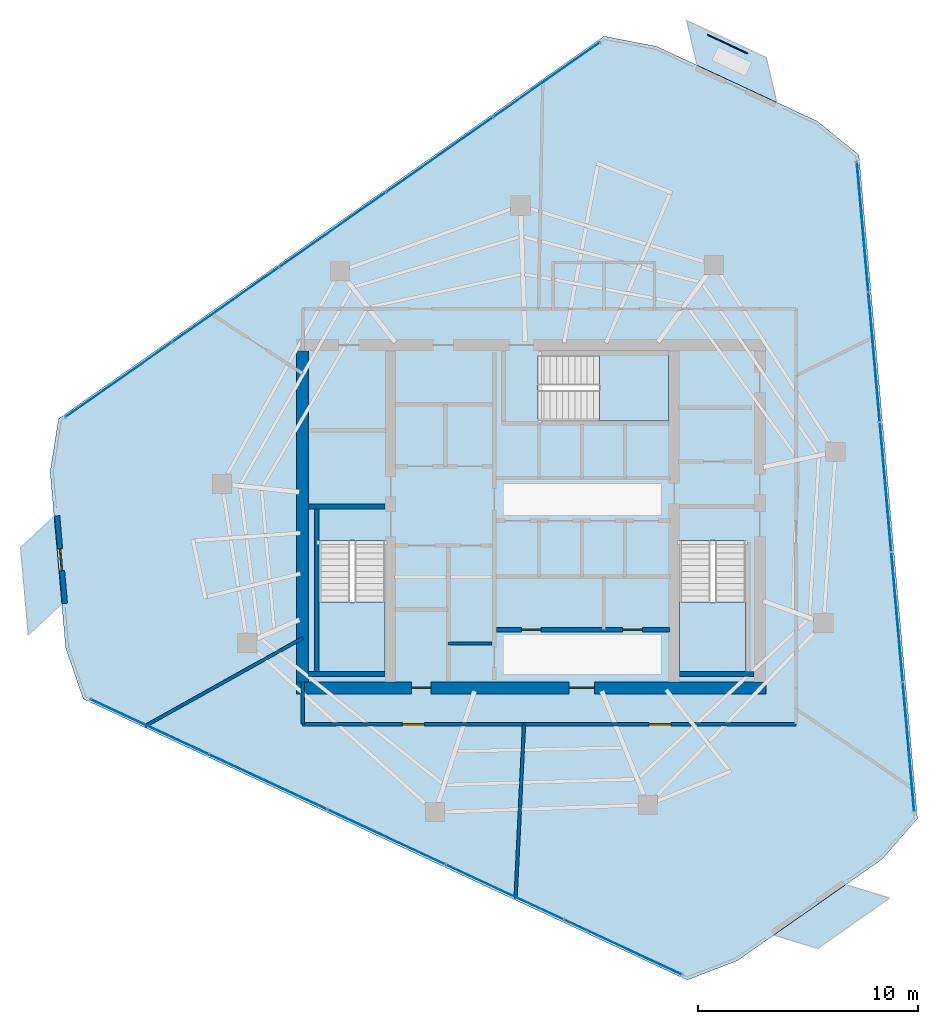
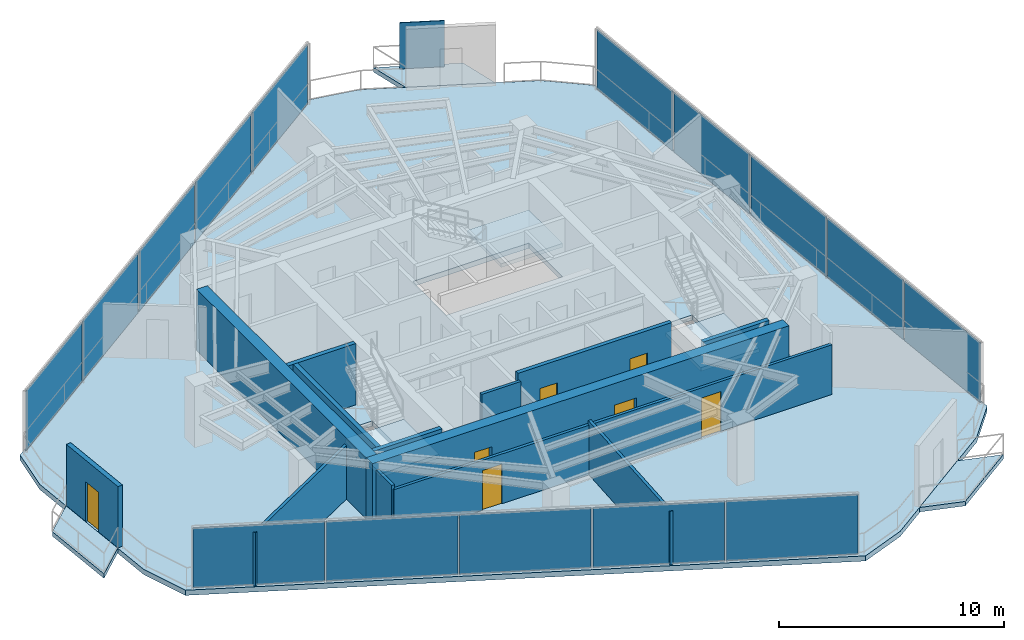
# One storey, part 16 of 20: 16 plates, 14 walls, 7 doors, 7 slabs, 7 openings, 6 elements without a shape of their own.
"""IFC4 building model written with IfcOpenShell, lengths in metres."""

import ifcopenshell
import ifcopenshell.guid

model = None  # the IFC model being written
_history = None  # IfcOwnerHistory: only IFC2X3 demands one
_inside = {}  # id of a spatial element -> (the spatial element, [elements in it])
_under = {}  # id of a project, library or spatial element -> (it, [spatial elements below it])
_declared = {}  # id of a project -> (the project, [libraries it declares])
_typed = {}  # id of a type object -> (the type object, [elements of that type])
_made_of = {}  # id of a material, layer set ... -> (it, [elements and type objects made of it])


def new_model(schema):
    """Start an empty IFC model of exactly this schema.

    Asked for "IFC4X3", IfcOpenShell would pick the latest addendum, in which some entities
    have other attributes; the version numbers below select the first issue.
    IFC2X3 requires an IfcOwnerHistory on every rooted entity: one is made here for all.
    """
    global model, _history
    if schema == "IFC4X3":
        model = ifcopenshell.file(schema_version=(4, 3, 0, 0))
    else:
        model = ifcopenshell.file(schema=schema)
    _inside.clear()
    _under.clear()
    _declared.clear()
    _typed.clear()
    _made_of.clear()
    _history = None
    if model.schema == "IFC2X3":
        org = make("IfcOrganization", Name="unknown")
        user = make(
            "IfcPersonAndOrganization",
            ThePerson=make("IfcPerson", FamilyName="unknown"),
            TheOrganization=org,
        )
        app = make(
            "IfcApplication",
            ApplicationDeveloper=org,
            Version="unknown",
            ApplicationFullName="unknown",
            ApplicationIdentifier="unknown",
        )
        _history = make(
            "IfcOwnerHistory",
            OwningUser=user,
            OwningApplication=app,
            ChangeAction="ADDED",
            CreationDate=0,
        )
    return model


def make(cls, **values):
    """One entity of the class cls with the attributes given. An attribute that is None is left unset."""
    return model.create_entity(
        cls, **{name: value for name, value in values.items() if value is not None}
    )


def rooted(cls, **values):
    """An entity with a GlobalId (a new one), such as an element, a storey or a relation."""
    return make(cls, GlobalId=ifcopenshell.guid.new(), OwnerHistory=_history, **values)


def si_unit(unit_type, name, prefix=None):
    """IfcSIUnit, for example si_unit("LENGTHUNIT", "METRE", prefix="MILLI")."""
    return make("IfcSIUnit", UnitType=unit_type, Prefix=prefix, Name=name)


def assignment(units):
    """IfcUnitAssignment: the units of a project."""
    return None if units is None else make("IfcUnitAssignment", Units=units)


def point(xyz):
    """IfcCartesianPoint."""
    return None if xyz is None else make("IfcCartesianPoint", Coordinates=xyz)


def direction(xyz):
    """IfcDirection."""
    return None if xyz is None else make("IfcDirection", DirectionRatios=xyz)


def frame(location, z_axis=None, x_axis=None):
    """IfcAxis2Placement3D, a coordinate frame: its origin and axes. An axis left out is left unset."""
    return make(
        "IfcAxis2Placement3D",
        Location=point(location),
        Axis=direction(z_axis),
        RefDirection=direction(x_axis),
    )


def frame_2d(location, x_axis=None):
    """IfcAxis2Placement2D, a coordinate frame in the plane: its origin and x axis."""
    return make(
        "IfcAxis2Placement2D", Location=point(location), RefDirection=direction(x_axis)
    )


def origin():
    """The frame at (0, 0, 0) with its axes left unset."""
    return frame((0.0, 0.0, 0.0))


def origin_2d():
    """The frame at (0, 0) in the plane with its x axis left unset."""
    return frame_2d((0.0, 0.0))


def place(relative_to, where):
    """IfcLocalPlacement: puts the frame where relative to a parent placement (None: the world)."""
    return make(
        "IfcLocalPlacement", PlacementRelTo=relative_to, RelativePlacement=where
    )


def context(
    kind, dimensions, precision=None, world=None, true_north=None, identifier=None
):
    """IfcGeometricRepresentationContext, for example the 3D "Model" context."""
    return make(
        "IfcGeometricRepresentationContext",
        ContextIdentifier=identifier,
        ContextType=kind,
        CoordinateSpaceDimension=dimensions,
        Precision=precision,
        WorldCoordinateSystem=world,
        TrueNorth=true_north,
    )


def subcontext(parent, identifier, kind, view, scale=None):
    """IfcGeometricRepresentationSubContext, for example "Body" below "Model"."""
    return make(
        "IfcGeometricRepresentationSubContext",
        ContextIdentifier=identifier,
        ContextType=kind,
        ParentContext=parent,
        TargetScale=scale,
        TargetView=view,
    )


def project(units=None, contexts=None):
    """IfcProject with its units and contexts."""
    return rooted(
        "IfcProject",
        Name="project",
        RepresentationContexts=contexts,
        UnitsInContext=assignment(units),
    )


def spatial(cls, under=None, at=None, **own):
    """A site, building, storey or space (cls), placed at a placement, below another one or the project."""
    s = rooted(cls, ObjectPlacement=at, **own)
    if under is not None:
        _under.setdefault(under.id(), (under, []))[1].append(s)
    return s


def polyline(points):
    """IfcPolyline through the points."""
    return make("IfcPolyline", Points=[point(p) for p in points])


def profile(cls, at=None, kind="AREA", **sizes):
    """A parametric profile (cls). Its sizes go by their IFC names, for example OverallWidth=200.0."""
    return make(cls, ProfileType=kind, Position=at, **sizes)


def rectangle(**sizes):
    """IfcRectangleProfileDef."""
    return profile("IfcRectangleProfileDef", **sizes)


def outline(outer, holes=None, kind="AREA"):
    """IfcArbitraryClosedProfileDef: a profile drawn as a closed curve; with holes, ...WithVoids."""
    if holes is None:
        return make("IfcArbitraryClosedProfileDef", ProfileType=kind, OuterCurve=outer)
    return make(
        "IfcArbitraryProfileDefWithVoids",
        ProfileType=kind,
        OuterCurve=outer,
        InnerCurves=holes,
    )


def extrude(swept, where, along, depth):
    """IfcExtrudedAreaSolid: the profile swept, set in the frame where, extruded along a direction by depth."""
    return make(
        "IfcExtrudedAreaSolid",
        SweptArea=swept,
        Position=where,
        ExtrudedDirection=direction(along),
        Depth=depth,
    )


def shape(context_of_items, identifier, shape_type, items):
    """IfcShapeRepresentation: the items that make up one representation, for example the "Body"."""
    return make(
        "IfcShapeRepresentation",
        ContextOfItems=context_of_items,
        RepresentationIdentifier=identifier,
        RepresentationType=shape_type,
        Items=items,
    )


def material(Name=None, Category=None):
    """IfcMaterial."""
    return make("IfcMaterial", Name=Name, Category=Category)


def layer(
    of_material, thickness, ventilated=None, Name=None, Category=None, Priority=None
):
    """IfcMaterialLayer: one layer of a wall or slab, of a material (None: an air gap)."""
    return make(
        "IfcMaterialLayer",
        Material=of_material,
        LayerThickness=thickness,
        IsVentilated=ventilated,
        Name=Name,
        Category=Category,
        Priority=Priority,
    )


def layer_set(layers, Name=None):
    """IfcMaterialLayerSet."""
    return make("IfcMaterialLayerSet", MaterialLayers=layers, LayerSetName=Name)


def made_of(thing, what):
    """Note that an element or type object is made of a material, layer set ...; save() writes the relation."""
    if what is not None:
        _made_of.setdefault(what.id(), (what, []))[1].append(thing)
    return thing


def type_object(cls, material=None, **own):
    """A type object (cls), such as IfcWallType, which elements share."""
    return made_of(rooted(cls, **own), material)


def element(
    cls,
    number,
    at=None,
    inside=None,
    cuts=None,
    type_object=None,
    material=None,
    context=None,
    identifier="Body",
    shape_type=None,
    held_by="IfcProductDefinitionShape",
    body=None,
    shapes=None,
    **own,
):
    """One element of the class cls, such as IfcWall. Its Tag is "e" and its number.

    at: its placement. inside: the storey or other place that contains it. cuts: it is an
    opening in that element (IfcRelVoidsElement). A single representation is given by context,
    identifier, shape_type and body (its items); several are given by shapes. held_by: the class
    of the entity that holds the representations. save() writes the other relations.
    """
    e = rooted(cls, Tag="e%d" % number, ObjectPlacement=at, **own)
    if body is not None:
        shapes = [shape(context, identifier, shape_type, body)]
    if shapes is not None:
        e.Representation = make(held_by, Representations=shapes)
    if inside is not None:
        _inside.setdefault(inside.id(), (inside, []))[1].append(e)
    if cuts is not None:
        rooted(
            "IfcRelVoidsElement", RelatingBuildingElement=cuts, RelatedOpeningElement=e
        )
    if type_object is not None:
        _typed.setdefault(type_object.id(), (type_object, []))[1].append(e)
    return made_of(e, material)


def fill(opening, filler):
    """IfcRelFillsElement: the door or window that sits in an opening."""
    return rooted(
        "IfcRelFillsElement",
        RelatingOpeningElement=opening,
        RelatedBuildingElement=filler,
    )


def aggregate(whole, parts):
    """IfcRelAggregates: a whole, such as a stair, and the parts it consists of."""
    return rooted("IfcRelAggregates", RelatingObject=whole, RelatedObjects=parts)


def save(model, path):
    """Write the relations noted so far, then the file.

    IfcRelAggregates (storeys below a building ...), IfcRelContainedInSpatialStructure (elements
    in a storey), IfcRelDefinesByType, IfcRelAssociatesMaterial and IfcRelDeclares: one each for
    every whole, place, type object, material and project.
    """
    for whole, parts in _under.values():
        aggregate(whole, parts)
    for where, things in _inside.values():
        rooted(
            "IfcRelContainedInSpatialStructure",
            RelatedElements=things,
            RelatingStructure=where,
        )
    for kind, things in _typed.values():
        rooted("IfcRelDefinesByType", RelatedObjects=things, RelatingType=kind)
    for what, things in _made_of.values():
        rooted("IfcRelAssociatesMaterial", RelatedObjects=things, RelatingMaterial=what)
    for by, libraries in _declared.values():
        rooted("IfcRelDeclares", RelatingContext=by, RelatedDefinitions=libraries)
    model.write(path)


model = new_model("IFC4")

# Units and contexts
model_context = context("Model", 3, precision=1e-05, world=origin(), true_north=direction((0.0, 1.0)))
body_context = subcontext(model_context, "Body", "Model", "MODEL_VIEW")
ifc_project = project(units=[si_unit("LENGTHUNIT", "METRE"), si_unit("AREAUNIT", "SQUARE_METRE"), si_unit("VOLUMEUNIT", "CUBIC_METRE"), si_unit("PLANEANGLEUNIT", "RADIAN"), si_unit("MASSUNIT", "GRAM", prefix="KILO")], contexts=[model_context])

# Site, building, storey
site_placement = place(None, origin())
site = spatial("IfcSite", under=ifc_project, at=site_placement, CompositionType="ELEMENT")
building_placement = place(site_placement, origin())
building = spatial("IfcBuilding", under=site, at=building_placement, Name="Qarnah Convention Tower", CompositionType="ELEMENT")
storey_placement = place(building_placement, frame((0.0, 0.0, 198.60009765625)))
storey = spatial("IfcBuildingStorey", under=building, at=storey_placement, Name="L53", CompositionType="ELEMENT", Elevation=198.60009765625)

# Curtain wall, plates
ifc_material_1 = material(Name="Tempered Low-E dark glass", Category="glass")
ifc_layer_1 = layer(ifc_material_1, 0.174072265625)
ifc_layer_set_1 = layer_set([ifc_layer_1], Name="Tempered Low-E dark glass")
curtain_wall_type = type_object("IfcCurtainWallType", Name="CWS-04", PredefinedType="NOTDEFINED", material=ifc_layer_set_1)
curtain_wall_1_placement = place(storey_placement, origin())
curtain_wall_1 = element("IfcCurtainWall", 1, at=curtain_wall_1_placement, inside=storey, type_object=curtain_wall_type, Name="L53 unitised curtain wall CW-L53-F1", PredefinedType="NOTDEFINED")
ifc_layer_2 = layer(ifc_material_1, 0.033935546875)
ifc_layer_set_2 = layer_set([ifc_layer_2], Name="Tempered Low-E dark glass")
plate_type_1 = type_object("IfcPlateType", Name="PNL-T4", PredefinedType="CURTAIN_PANEL", material=ifc_layer_set_2)
plate_1_placement = place(storey_placement, frame((18.442138671875, 32.62548828125, 0.0400390625), z_axis=(0.0, 0.0, 1.0), x_axis=(0.818736601827, 0.57416929283, 0.0)))
plate_1 = element("IfcPlate", 2, at=plate_1_placement, type_object=plate_type_1, Name="CW-L53-F1 curtain panel 1.1", PredefinedType="CURTAIN_PANEL", context=body_context, shape_type="SweptSolid", body=[
    extrude(rectangle(XDim=5.861083984375, YDim=0.033935546875, at=origin_2d()), origin(), (0.0, 0.0, 1.0), 3.239990234375),
])
plate_2_placement = place(storey_placement, frame((23.306396484375, 36.036865234375, 0.0400390625), z_axis=(0.0, 0.0, 1.0), x_axis=(0.818736601827, 0.57416929283, 0.0)))
plate_2 = element("IfcPlate", 3, at=plate_2_placement, type_object=plate_type_1, Name="CW-L53-F1 curtain panel 2.1", PredefinedType="CURTAIN_PANEL", context=body_context, shape_type="SweptSolid", body=[
    extrude(rectangle(XDim=5.861083984375, YDim=0.033935546875, at=origin_2d()), origin(), (0.0, 0.0, 1.0), 3.239990234375),
])
plate_3_placement = place(storey_placement, frame((28.17041015625, 39.447998046875, 0.0400390625), z_axis=(0.0, 0.0, 1.0), x_axis=(0.818736601827, 0.57416929283, 0.0)))
plate_3 = element("IfcPlate", 4, at=plate_3_placement, type_object=plate_type_1, Name="CW-L53-F1 curtain panel 3.1", PredefinedType="CURTAIN_PANEL", context=body_context, shape_type="SweptSolid", body=[
    extrude(rectangle(XDim=5.861083984375, YDim=0.033935546875, at=origin_2d()), origin(), (0.0, 0.0, 1.0), 3.239990234375),
])
plate_4_placement = place(storey_placement, frame((33.03466796875, 42.859130859375, 0.0400390625), z_axis=(0.0, 0.0, 1.0), x_axis=(0.818736601827, 0.57416929283, 0.0)))
plate_4 = element("IfcPlate", 5, at=plate_4_placement, type_object=plate_type_1, Name="CW-L53-F1 curtain panel 4.1", PredefinedType="CURTAIN_PANEL", context=body_context, shape_type="SweptSolid", body=[
    extrude(rectangle(XDim=5.861083984375, YDim=0.033935546875, at=origin_2d()), origin(), (0.0, 0.0, 1.0), 3.239990234375),
])
plate_5_placement = place(storey_placement, frame((37.89892578125, 46.2705078125, 0.0400390625), z_axis=(0.0, 0.0, 1.0), x_axis=(0.818736601827, 0.57416929283, 0.0)))
plate_5 = element("IfcPlate", 6, at=plate_5_placement, type_object=plate_type_1, Name="CW-L53-F1 curtain panel 5.1", PredefinedType="CURTAIN_PANEL", context=body_context, shape_type="SweptSolid", body=[
    extrude(rectangle(XDim=5.861083984375, YDim=0.033935546875, at=origin_2d()), origin(), (0.0, 0.0, 1.0), 3.239990234375),
])
aggregate(curtain_wall_1, [plate_1, plate_2, plate_3, plate_4, plate_5])

curtain_wall_2_placement = place(storey_placement, origin())
curtain_wall_2 = element("IfcCurtainWall", 7, at=curtain_wall_2_placement, inside=storey, type_object=curtain_wall_type, Name="L53 unitised curtain wall CW-L53-F2", PredefinedType="NOTDEFINED")
plate_6_placement = place(storey_placement, frame((41.3798828125, 6.803466796875, 0.0400390625), z_axis=(0.0, 0.0, 1.0), x_axis=(-0.906605820486, 0.421978537678, 0.0)))
plate_6 = element("IfcPlate", 8, at=plate_6_placement, type_object=plate_type_1, Name="CW-L53-F2 curtain panel 1.1", PredefinedType="CURTAIN_PANEL", context=body_context, shape_type="SweptSolid", body=[
    extrude(rectangle(XDim=5.861083984375, YDim=0.033935546875, at=origin_2d()), origin(), (0.0, 0.0, 1.0), 3.239990234375),
])
plate_7_placement = place(storey_placement, frame((35.99365234375, 9.310546875, 0.0400390625), z_axis=(0.0, 0.0, 1.0), x_axis=(-0.906605820486, 0.421978537678, 0.0)))
plate_7 = element("IfcPlate", 9, at=plate_7_placement, type_object=plate_type_1, Name="CW-L53-F2 curtain panel 2.1", PredefinedType="CURTAIN_PANEL", context=body_context, shape_type="SweptSolid", body=[
    extrude(rectangle(XDim=5.861083984375, YDim=0.033935546875, at=origin_2d()), origin(), (0.0, 0.0, 1.0), 3.239990234375),
])
plate_8_placement = place(storey_placement, frame((30.607421875, 11.8173828125, 0.0400390625), z_axis=(0.0, 0.0, 1.0), x_axis=(-0.906605820486, 0.421978537678, 0.0)))
plate_8 = element("IfcPlate", 10, at=plate_8_placement, type_object=plate_type_1, Name="CW-L53-F2 curtain panel 3.1", PredefinedType="CURTAIN_PANEL", context=body_context, shape_type="SweptSolid", body=[
    extrude(rectangle(XDim=5.861083984375, YDim=0.033935546875, at=origin_2d()), origin(), (0.0, 0.0, 1.0), 3.239990234375),
])
plate_9_placement = place(storey_placement, frame((25.22119140625, 14.324462890625, 0.0400390625), z_axis=(0.0, 0.0, 1.0), x_axis=(-0.906605820486, 0.421978537678, 0.0)))
plate_9 = element("IfcPlate", 11, at=plate_9_placement, type_object=plate_type_1, Name="CW-L53-F2 curtain panel 4.1", PredefinedType="CURTAIN_PANEL", context=body_context, shape_type="SweptSolid", body=[
    extrude(rectangle(XDim=5.861083984375, YDim=0.033935546875, at=origin_2d()), origin(), (0.0, 0.0, 1.0), 3.239990234375),
])
plate_10_placement = place(storey_placement, frame((19.835205078125, 16.83154296875, 0.0400390625), z_axis=(0.0, 0.0, 1.0), x_axis=(-0.906605820486, 0.421978537678, 0.0)))
plate_10 = element("IfcPlate", 12, at=plate_10_placement, type_object=plate_type_1, Name="CW-L53-F2 curtain panel 5.1", PredefinedType="CURTAIN_PANEL", context=body_context, shape_type="SweptSolid", body=[
    extrude(rectangle(XDim=5.861083984375, YDim=0.033935546875, at=origin_2d()), origin(), (0.0, 0.0, 1.0), 3.239990234375),
])
aggregate(curtain_wall_2, [plate_6, plate_7, plate_8, plate_9, plate_10])

curtain_wall_3_placement = place(storey_placement, origin())
curtain_wall_3 = element("IfcCurtainWall", 13, at=curtain_wall_3_placement, inside=storey, type_object=curtain_wall_type, Name="L53 unitised curtain wall CW-L53-F3", PredefinedType="NOTDEFINED")
plate_11_placement = place(storey_placement, frame((52.27294921875, 39.578857421875, 0.0400390625), z_axis=(0.0, 0.0, 1.0), x_axis=(0.087861384632, -0.996132710582, 0.0)))
plate_11 = element("IfcPlate", 14, at=plate_11_placement, type_object=plate_type_1, Name="CW-L53-F3 curtain panel 1.1", PredefinedType="CURTAIN_PANEL", context=body_context, shape_type="SweptSolid", body=[
    extrude(rectangle(XDim=5.861083984375, YDim=0.033935546875, at=origin_2d()), origin(), (0.0, 0.0, 1.0), 3.239990234375),
])
plate_12_placement = place(storey_placement, frame((52.794921875, 33.66064453125, 0.0400390625), z_axis=(0.0, 0.0, 1.0), x_axis=(0.087861384632, -0.996132710582, 0.0)))
plate_12 = element("IfcPlate", 15, at=plate_12_placement, type_object=plate_type_1, Name="CW-L53-F3 curtain panel 2.1", PredefinedType="CURTAIN_PANEL", context=body_context, shape_type="SweptSolid", body=[
    extrude(rectangle(XDim=5.861083984375, YDim=0.033935546875, at=origin_2d()), origin(), (0.0, 0.0, 1.0), 3.239990234375),
])
plate_13_placement = place(storey_placement, frame((53.31689453125, 27.742431640625, 0.0400390625), z_axis=(0.0, 0.0, 1.0), x_axis=(0.087861384632, -0.996132710582, 0.0)))
plate_13 = element("IfcPlate", 16, at=plate_13_placement, type_object=plate_type_1, Name="CW-L53-F3 curtain panel 3.1", PredefinedType="CURTAIN_PANEL", context=body_context, shape_type="SweptSolid", body=[
    extrude(rectangle(XDim=5.861083984375, YDim=0.033935546875, at=origin_2d()), origin(), (0.0, 0.0, 1.0), 3.239990234375),
])
plate_14_placement = place(storey_placement, frame((53.839111328125, 21.82421875, 0.0400390625), z_axis=(0.0, 0.0, 1.0), x_axis=(0.087861384632, -0.996132710582, 0.0)))
plate_14 = element("IfcPlate", 17, at=plate_14_placement, type_object=plate_type_1, Name="CW-L53-F3 curtain panel 4.1", PredefinedType="CURTAIN_PANEL", context=body_context, shape_type="SweptSolid", body=[
    extrude(rectangle(XDim=5.861083984375, YDim=0.033935546875, at=origin_2d()), origin(), (0.0, 0.0, 1.0), 3.239990234375),
])
plate_15_placement = place(storey_placement, frame((54.361083984375, 15.906005859375, 0.0400390625), z_axis=(0.0, 0.0, 1.0), x_axis=(0.087861384632, -0.996132710582, 0.0)))
plate_15 = element("IfcPlate", 18, at=plate_15_placement, type_object=plate_type_1, Name="CW-L53-F3 curtain panel 5.1", PredefinedType="CURTAIN_PANEL", context=body_context, shape_type="SweptSolid", body=[
    extrude(rectangle(XDim=5.861083984375, YDim=0.033935546875, at=origin_2d()), origin(), (0.0, 0.0, 1.0), 3.239990234375),
])
aggregate(curtain_wall_3, [plate_11, plate_12, plate_13, plate_14, plate_15])

# Plate
ifc_material_2 = material(Name="Black anodised aluminium", Category="aluminium")
ifc_layer_3 = layer(ifc_material_2, 0.044921875)
ifc_layer_set_3 = layer_set([ifc_layer_3], Name="Black anodised aluminium")
plate_type_2 = type_object("IfcPlateType", Name="SCR-BAL-18", PredefinedType="USERDEFINED", material=ifc_layer_set_3)
plate_16_placement = place(storey_placement, frame((46.135986328125, 47.884033203125, 0.0), z_axis=(0.0, 0.0, 1.0), x_axis=(0.906623230373, -0.42194113114, 0.0)))
element("IfcPlate", 19, at=plate_16_placement, inside=storey, type_object=plate_type_2, Name="L53 perforated desert solar screen BAL-L53-C1", ObjectType="SCREEN", PredefinedType="USERDEFINED", context=body_context, shape_type="SweptSolid", body=[
    extrude(rectangle(XDim=2.0, YDim=0.044921875, at=origin_2d()), origin(), (0.0, 0.0, 1.0), 2.5),
])

# Slabs
ifc_material_3 = material(Name="Concrete C45/55", Category="concrete")
ifc_layer_4 = layer(ifc_material_3, 0.239990234375)
ifc_layer_set_4 = layer_set([ifc_layer_4], Name="Concrete C45/55")
slab_type_1 = type_object("IfcSlabType", Name="SLB-BAL-240", PredefinedType="USERDEFINED", material=ifc_layer_set_4)
slab_1_placement = place(storey_placement, frame((0.0, 0.0, -0.239990234375)))
element("IfcSlab", 20, at=slab_1_placement, inside=storey, type_object=slab_type_1, Name="L53 cantilevered balcony slab BAL-L53-C1", ObjectType="BALCONY", PredefinedType="USERDEFINED", context=body_context, shape_type="SweptSolid", body=[
    extrude(outline(polyline([(44.26806640625, 48.9619140625), (47.89501953125, 47.27392578125), (48.366943359375, 45.235107421875), (44.740966796875, 46.923095703125), (44.26806640625, 48.9619140625)])), origin(), (0.0, 0.0, 1.0), 0.239990234375),
])
slab_2_placement = place(storey_placement, frame((0.0, 0.0, -0.239990234375)))
element("IfcSlab", 21, at=slab_2_placement, inside=storey, type_object=slab_type_1, Name="L53 cantilevered balcony slab BAL-L53-C2", ObjectType="BALCONY", PredefinedType="USERDEFINED", context=body_context, shape_type="SweptSolid", body=[
    extrude(outline(polyline([(14.319091796875, 21.001953125), (13.967041015625, 24.986083984375), (15.4970703125, 26.4140625), (15.847900390625, 22.429931640625), (14.319091796875, 21.001953125)])), origin(), (0.0, 0.0, 1.0), 0.239990234375),
])
slab_3_placement = place(storey_placement, frame((0.0, 0.0, -0.239990234375)))
element("IfcSlab", 22, at=slab_3_placement, inside=storey, type_object=slab_type_1, Name="L53 cantilevered balcony slab BAL-L53-C3", ObjectType="BALCONY", PredefinedType="USERDEFINED", context=body_context, shape_type="SweptSolid", body=[
    extrude(outline(polyline([(53.508056640625, 9.044921875), (50.23291015625, 6.748046875), (48.23193359375, 7.35888671875), (51.506103515625, 9.655029296875), (53.508056640625, 9.044921875)])), origin(), (0.0, 0.0, 1.0), 0.239990234375),
])

# Stair, slab
ifc_material_4 = material(Name="Concrete C50/60", Category="concrete")
stair_type = type_object("IfcStairType", Name="STR-OFF", PredefinedType="HALF_TURN_STAIR", material=ifc_material_4)
stair_1_placement = place(storey_placement, origin())
stair_1 = element("IfcStair", 23, at=stair_1_placement, inside=storey, type_object=stair_type, Name="L53 Core exit stair ST-1", PredefinedType="HALF_TURN_STAIR")
ifc_layer_5 = layer(ifc_material_4, 0.199951171875)
ifc_layer_set_5 = layer_set([ifc_layer_5], Name="Concrete C50/60")
slab_type_2 = type_object("IfcSlabType", Name="SLB-LANDING-200", PredefinedType="LANDING", material=ifc_layer_set_5)
slab_4_placement = place(storey_placement, frame((0.0, 0.0, 1.599853515625)))
slab_4 = element("IfcSlab", 24, at=slab_4_placement, type_object=slab_type_2, Name="ST-1 landing 1", PredefinedType="LANDING", context=body_context, shape_type="SweptSolid", body=[
    extrude(outline(polyline([(27.550048828125, 22.5), (27.550048828125, 19.35009765625), (30.550048828125, 19.35009765625), (30.550048828125, 22.5), (27.550048828125, 22.5)])), origin(), (0.0, 0.0, 1.0), 0.199951171875),
])
aggregate(stair_1, [slab_4])

stair_2_placement = place(storey_placement, origin())
stair_2 = element("IfcStair", 25, at=stair_2_placement, inside=storey, type_object=stair_type, Name="L53 Core exit stair ST-2", PredefinedType="HALF_TURN_STAIR")
slab_5_placement = place(storey_placement, frame((0.0, 0.0, 1.599853515625)))
slab_5 = element("IfcSlab", 26, at=slab_5_placement, type_object=slab_type_2, Name="ST-2 landing 1", PredefinedType="LANDING", context=body_context, shape_type="SweptSolid", body=[
    extrude(outline(polyline([(43.949951171875, 22.5), (43.949951171875, 19.35009765625), (46.949951171875, 19.35009765625), (46.949951171875, 22.5), (43.949951171875, 22.5)])), origin(), (0.0, 0.0, 1.0), 0.199951171875),
])
aggregate(stair_2, [slab_5])

stair_3_placement = place(storey_placement, origin())
stair_3 = element("IfcStair", 27, at=stair_3_placement, inside=storey, type_object=stair_type, Name="L53 Core exit stair ST-3", PredefinedType="HALF_TURN_STAIR")
slab_6_placement = place(storey_placement, frame((0.0, 0.0, 1.599853515625)))
slab_6 = element("IfcSlab", 28, at=slab_6_placement, type_object=slab_type_2, Name="ST-3 landing 1", PredefinedType="LANDING", context=body_context, shape_type="SweptSolid", body=[
    extrude(outline(polyline([(40.300048828125, 30.75), (43.449951171875, 30.75), (43.449951171875, 33.75), (40.300048828125, 33.75), (40.300048828125, 30.75)])), origin(), (0.0, 0.0, 1.0), 0.199951171875),
])
aggregate(stair_3, [slab_6])

# Slab
ifc_layer_6 = layer(ifc_material_3, 0.280029296875)
ifc_layer_set_6 = layer_set([ifc_layer_6], Name="Concrete C45/55")
slab_type_3 = type_object("IfcSlabType", Name="SLB-TWR-280", PredefinedType="FLOOR", material=ifc_layer_set_6)
slab_7_placement = place(storey_placement, frame((0.0, 0.0, -0.280029296875)))
element("IfcSlab", 29, at=slab_7_placement, inside=storey, type_object=slab_type_3, Name="L53 structural floor slab", PredefinedType="FLOOR", context=body_context, shape_type="SweptSolid", body=[
    extrude(outline(polyline([(40.508056640625, 48.24609375), (15.695068359375, 30.845947265625), (15.31494140625, 28.431884765625), (16.02197265625, 20.4130859375), (16.819091796875, 18.10302734375), (44.2939453125, 5.31494140625), (46.574951171875, 6.19189453125), (53.166015625, 10.81396484375), (54.76806640625, 12.658935546875), (52.10498046875, 42.846923828125), (50.205078125, 44.384033203125), (42.906982421875, 47.781005859375), (40.508056640625, 48.24609375)]), holes=[polyline([(27.550048828125, 25.300048828125), (27.550048828125, 19.35009765625), (30.550048828125, 19.35009765625), (30.550048828125, 25.300048828125), (27.550048828125, 25.300048828125)]), polyline([(43.949951171875, 25.300048828125), (43.949951171875, 19.35009765625), (46.949951171875, 19.35009765625), (46.949951171875, 25.300048828125), (43.949951171875, 25.300048828125)]), polyline([(37.5, 30.75), (43.449951171875, 30.75), (43.449951171875, 33.75), (37.5, 33.75), (37.5, 30.75)])]), origin(), (0.0, 0.0, 1.0), 0.280029296875),
])

# Wall, openings, doors
ifc_material_5 = material(Name="Concrete C60/75", Category="concrete")
ifc_layer_7 = layer(ifc_material_5, 0.550048828125)
ifc_layer_set_7 = layer_set([ifc_layer_7], Name="Concrete C60/75")
wall_type_1 = type_object("IfcWallType", Name="WL-CORE-550", PredefinedType="SHEAR", material=ifc_layer_set_7)
wall_1_placement = place(storey_placement, frame((26.52490234375, 18.60009765625, 0.0), z_axis=(0.0, 0.0, 1.0), x_axis=(1.0, 0.0, 0.0)))
wall_1 = element("IfcWall", 30, at=wall_1_placement, inside=storey, type_object=wall_type_1, Name="L53 core south shear wall", PredefinedType="SHEAR", context=body_context, shape_type="SweptSolid", body=[
    extrude(rectangle(XDim=21.35009765625, YDim=0.550048828125, at=frame_2d((10.675048828125, 0.0))), origin(), (0.0, 0.0, 1.0), 3.31982421875),
])
opening_1_placement = place(wall_1_placement, frame((12.39990234375, 0.0, 0.0)))
opening_1 = element("IfcOpeningElement", 31, at=opening_1_placement, cuts=wall_1, Name="Opening D-5307", PredefinedType="OPENING", context=body_context, shape_type="SweptSolid", body=[
    extrude(rectangle(XDim=1.14990234375, YDim=2.14990234375, at=frame_2d((0.574951171875, 1.074951171875))), frame((0.0, 0.284912109375, 0.0), z_axis=(0.0, -1.0, 0.0), x_axis=(1.0, 0.0, 0.0)), (0.0, 0.0, 1.0), 0.570068359375),
])
opening_2_placement = place(wall_1_placement, frame((5.22509765625, 0.0, 0.0)))
opening_2 = element("IfcOpeningElement", 32, at=opening_2_placement, cuts=wall_1, Name="Opening D-5313", PredefinedType="OPENING", context=body_context, shape_type="SweptSolid", body=[
    extrude(rectangle(XDim=0.89990234375, YDim=2.10009765625, at=frame_2d((0.449951171875, 1.050048828125))), frame((0.0, 0.284912109375, 0.0), z_axis=(0.0, -1.0, 0.0), x_axis=(1.0, 0.0, 0.0)), (0.0, 0.0, 1.0), 0.570068359375),
])
ifc_material_6 = material(Name="Structural steel S355JR", Category="steel")
door_type_1 = type_object("IfcDoorType", Name="DT-LOBBY-1150", OperationType="NOTDEFINED", PredefinedType="DOOR", material=ifc_material_6)
door_1_placement = place(opening_1_placement, origin())
door_1 = element("IfcDoor", 33, at=door_1_placement, inside=storey, type_object=door_type_1, Name="Door D-5307", OperationType="SINGLE_SWING_RIGHT", OverallHeight=2.14990234375, OverallWidth=1.14990234375, PredefinedType="DOOR", context=body_context, shape_type="SweptSolid", body=[
    extrude(rectangle(XDim=1.14990234375, YDim=2.14990234375, at=frame_2d((0.574951171875, 1.074951171875))), frame((0.0, 0.02490234375, 0.0), z_axis=(0.0, -1.0, 0.0), x_axis=(1.0, 0.0, 0.0)), (0.0, 0.0, 1.0), 0.050048828125),
])
fill(opening_1, door_1)
door_type_2 = type_object("IfcDoorType", Name="DT-RISER-900", OperationType="NOTDEFINED", PredefinedType="DOOR", material=ifc_material_6)
door_2_placement = place(opening_2_placement, origin())
door_2 = element("IfcDoor", 34, at=door_2_placement, inside=storey, type_object=door_type_2, Name="Door D-5313", OperationType="SINGLE_SWING_RIGHT", OverallHeight=2.10009765625, OverallWidth=0.89990234375, PredefinedType="DOOR", context=body_context, shape_type="SweptSolid", body=[
    extrude(rectangle(XDim=0.89990234375, YDim=2.10009765625, at=frame_2d((0.449951171875, 1.050048828125))), frame((0.0, 0.02490234375, 0.0), z_axis=(0.0, -1.0, 0.0), x_axis=(1.0, 0.0, 0.0)), (0.0, 0.0, 1.0), 0.050048828125),
])
fill(opening_2, door_2)

# Wall
wall_2_placement = place(storey_placement, frame((26.800048828125, 18.875, 0.0), z_axis=(0.0, 0.0, 1.0), x_axis=(0.0, 1.0, 0.0)))
element("IfcWall", 35, at=wall_2_placement, inside=storey, type_object=wall_type_1, Name="L53 core west shear wall", PredefinedType="SHEAR", context=body_context, shape_type="SweptSolid", body=[
    extrude(rectangle(XDim=15.050048828125, YDim=0.550048828125, at=frame_2d((7.52490234375, 0.0))), origin(), (0.0, 0.0, 1.0), 3.31982421875),
])

# Wall, openings, doors
ifc_layer_8 = layer(ifc_material_3, 0.199951171875)
ifc_layer_set_8 = layer_set([ifc_layer_8], Name="Concrete C45/55")
wall_type_2 = type_object("IfcWallType", Name="WL-CORE-PART-200", PredefinedType="SOLIDWALL", material=ifc_layer_set_8)
wall_3_placement = place(storey_placement, frame((35.6201171875, 21.25, 0.0), z_axis=(0.0, 0.0, 1.0), x_axis=(1.0, 0.0, 0.0)))
wall_3 = element("IfcWall", 36, at=wall_3_placement, inside=storey, type_object=wall_type_2, Name="L53 interior wall IW-L53-PLS", PredefinedType="SOLIDWALL", context=body_context, shape_type="SweptSolid", body=[
    extrude(rectangle(XDim=7.8798828125, YDim=0.199951171875, at=frame_2d((3.93994140625, 0.0))), origin(), (0.0, 0.0, 1.0), 3.31982421875),
])
opening_3_placement = place(wall_3_placement, frame((1.1298828125, 0.0, 0.0)))
opening_3 = element("IfcOpeningElement", 37, at=opening_3_placement, cuts=wall_3, Name="Opening D-5316", PredefinedType="OPENING", context=body_context, shape_type="SweptSolid", body=[
    extrude(rectangle(XDim=0.89990234375, YDim=2.10009765625, at=frame_2d((0.449951171875, 1.050048828125))), frame((0.0, 0.10986328125, 0.0), z_axis=(0.0, -1.0, 0.0), x_axis=(1.0, 0.0, 0.0)), (0.0, 0.0, 1.0), 0.219970703125),
])
opening_4_placement = place(wall_3_placement, frame((5.72998046875, 0.0, 0.0)))
opening_4 = element("IfcOpeningElement", 38, at=opening_4_placement, cuts=wall_3, Name="Opening D-5317", PredefinedType="OPENING", context=body_context, shape_type="SweptSolid", body=[
    extrude(rectangle(XDim=0.89990234375, YDim=2.10009765625, at=frame_2d((0.449951171875, 1.050048828125))), frame((0.0, 0.10986328125, 0.0), z_axis=(0.0, -1.0, 0.0), x_axis=(1.0, 0.0, 0.0)), (0.0, 0.0, 1.0), 0.219970703125),
])
door_3_placement = place(opening_3_placement, origin())
door_3 = element("IfcDoor", 39, at=door_3_placement, inside=storey, type_object=door_type_2, Name="Door D-5316", OperationType="SINGLE_SWING_LEFT", OverallHeight=2.10009765625, OverallWidth=0.89990234375, PredefinedType="DOOR", context=body_context, shape_type="SweptSolid", body=[
    extrude(rectangle(XDim=0.89990234375, YDim=2.10009765625, at=frame_2d((0.449951171875, 1.050048828125))), frame((0.0, 0.02490234375, 0.0), z_axis=(0.0, -1.0, 0.0), x_axis=(1.0, 0.0, 0.0)), (0.0, 0.0, 1.0), 0.050048828125),
])
fill(opening_3, door_3)
door_4_placement = place(opening_4_placement, origin())
door_4 = element("IfcDoor", 40, at=door_4_placement, inside=storey, type_object=door_type_2, Name="Door D-5317", OperationType="SINGLE_SWING_RIGHT", OverallHeight=2.10009765625, OverallWidth=0.89990234375, PredefinedType="DOOR", context=body_context, shape_type="SweptSolid", body=[
    extrude(rectangle(XDim=0.89990234375, YDim=2.10009765625, at=frame_2d((0.449951171875, 1.050048828125))), frame((0.0, 0.02490234375, 0.0), z_axis=(0.0, -1.0, 0.0), x_axis=(1.0, 0.0, 0.0)), (0.0, 0.0, 1.0), 0.050048828125),
])
fill(opening_4, door_4)

# Walls
ifc_layer_9 = layer(ifc_material_5, 0.219970703125)
ifc_layer_set_9 = layer_set([ifc_layer_9], Name="Concrete C60/75")
wall_type_3 = type_object("IfcWallType", Name="WL-CORE-STAIR-220", PredefinedType="SHEAR", material=ifc_layer_set_9)
wall_4_placement = place(storey_placement, frame((27.074951171875, 26.860107421875, 0.0), z_axis=(0.0, 0.0, 1.0), x_axis=(1.0, 0.0, 0.0)))
element("IfcWall", 41, at=wall_4_placement, inside=storey, type_object=wall_type_3, Name="L53 stair shaft shear wall SW-L53-ST1N", PredefinedType="SHEAR", context=body_context, shape_type="SweptSolid", body=[
    extrude(rectangle(XDim=3.47509765625, YDim=0.219970703125, at=frame_2d((1.737548828125, 0.0))), origin(), (0.0, 0.0, 1.0), 3.31982421875),
])
wall_5_placement = place(storey_placement, frame((27.43994140625, 19.35009765625, 0.0), z_axis=(0.0, 0.0, 1.0), x_axis=(0.0, 1.0, 0.0)))
element("IfcWall", 42, at=wall_5_placement, inside=storey, type_object=wall_type_3, Name="L53 stair shaft shear wall SW-L53-ST1W", PredefinedType="SHEAR", context=body_context, shape_type="SweptSolid", body=[
    extrude(rectangle(XDim=7.39990234375, YDim=0.219970703125, at=frame_2d((3.699951171875, 0.0))), origin(), (0.0, 0.0, 1.0), 3.31982421875),
])
wall_6_placement = place(storey_placement, frame((27.074951171875, 19.239990234375, 0.0), z_axis=(0.0, 0.0, 1.0), x_axis=(1.0, 0.0, 0.0)))
element("IfcWall", 43, at=wall_6_placement, inside=storey, type_object=wall_type_3, Name="L53 stair shaft shear wall SW-L53-ST1S", PredefinedType="SHEAR", context=body_context, shape_type="SweptSolid", body=[
    extrude(rectangle(XDim=3.47509765625, YDim=0.219970703125, at=frame_2d((1.737548828125, 0.0))), origin(), (0.0, 0.0, 1.0), 3.31982421875),
])
wall_7_placement = place(storey_placement, frame((43.949951171875, 19.239990234375, 0.0), z_axis=(0.0, 0.0, 1.0), x_axis=(1.0, 0.0, 0.0)))
element("IfcWall", 44, at=wall_7_placement, inside=storey, type_object=wall_type_3, Name="L53 stair shaft shear wall SW-L53-ST2S", PredefinedType="SHEAR", context=body_context, shape_type="SweptSolid", body=[
    extrude(rectangle(XDim=3.375, YDim=0.219970703125, at=frame_2d((1.6875, 0.0))), origin(), (0.0, 0.0, 1.0), 3.31982421875),
])

# Wall, opening, door
ifc_material_7 = material(Name="Precast concrete C45/55", Category="concrete")
ifc_layer_10 = layer(ifc_material_7, 0.239990234375)
ifc_layer_set_10 = layer_set([ifc_layer_10], Name="Precast concrete C45/55")
wall_type_4 = type_object("IfcWallType", Name="WL-EXT-BAL-240", PredefinedType="SOLIDWALL", material=ifc_layer_set_10)
wall_8_placement = place(storey_placement, frame((15.98388671875, 22.443115234375, 0.0), z_axis=(0.0, 0.0, 1.0), x_axis=(-0.087965072278, 0.996123559635, 0.0)))
wall_8 = element("IfcWall", 45, at=wall_8_placement, inside=storey, type_object=wall_type_4, Name="L53 loggia threshold wall BAL-L53-C2", PredefinedType="SOLIDWALL", context=body_context, shape_type="SweptSolid", body=[
    extrude(rectangle(XDim=3.99951171875, YDim=0.239990234375, at=frame_2d((1.999755859375, 0.0))), origin(), (0.0, 0.0, 1.0), 3.31982421875),
])
opening_5_placement = place(wall_8_placement, frame((1.5, 0.0, 0.0)))
opening_5 = element("IfcOpeningElement", 46, at=opening_5_placement, cuts=wall_8, Name="Opening BD-5302", PredefinedType="OPENING", context=body_context, shape_type="SweptSolid", body=[
    extrude(rectangle(XDim=1.0, YDim=2.14990234375, at=frame_2d((0.5, 1.074951171875))), frame((0.0, 0.1298828125, 0.0), z_axis=(0.0, -1.0, 0.0), x_axis=(1.0, 0.0, 0.0)), (0.0, 0.0, 1.0), 0.260009765625),
])
door_type_3 = type_object("IfcDoorType", Name="DT-BAL-1000", OperationType="NOTDEFINED", PredefinedType="DOOR", material=ifc_material_2)
door_5_placement = place(opening_5_placement, origin())
door_5 = element("IfcDoor", 47, at=door_5_placement, inside=storey, type_object=door_type_3, Name="L53 balcony terrace door BAL-L53-C2", OperationType="SINGLE_SWING_LEFT", OverallHeight=2.14990234375, OverallWidth=1.0, PredefinedType="DOOR", context=body_context, shape_type="SweptSolid", body=[
    extrude(rectangle(XDim=1.0, YDim=2.14990234375, at=frame_2d((0.5, 1.074951171875))), frame((0.0, 0.02490234375, 0.0), z_axis=(0.0, -1.0, 0.0), x_axis=(1.0, 0.0, 0.0)), (0.0, 0.0, 1.0), 0.050048828125),
])
fill(opening_5, door_5)

# Walls
ifc_material_8 = material(Name="Gypsum partition board")
ifc_layer_11 = layer(ifc_material_8, 0.14990234375)
ifc_layer_set_11 = layer_set([ifc_layer_11], Name="Gypsum partition board")
wall_type_5 = type_object("IfcWallType", Name="WL-SUITE-150", PredefinedType="PARTITIONING", material=ifc_layer_set_11)
wall_9_placement = place(storey_placement, frame((33.419921875, 20.6201171875, 0.0), z_axis=(0.0, 0.0, 1.0), x_axis=(1.0, 0.0, 0.0)))
element("IfcWall", 48, at=wall_9_placement, inside=storey, type_object=wall_type_5, Name="L53 interior wall IW-L53-CSV1", PredefinedType="PARTITIONING", context=body_context, shape_type="SweptSolid", body=[
    extrude(rectangle(XDim=2.0, YDim=0.14990234375, at=frame_2d((1.0, 0.0))), origin(), (0.0, 0.0, 1.0), 3.31982421875),
])
wall_10_placement = place(storey_placement, frame((19.6279296875, 16.865966796875, 0.0), z_axis=(0.0, 0.0, 1.0), x_axis=(0.873140335759, 0.487468926262, 0.0)))
element("IfcWall", 49, at=wall_10_placement, inside=storey, type_object=wall_type_5, Name="L53 interior wall IW-L53-R-18", PredefinedType="PARTITIONING", context=body_context, shape_type="SweptSolid", body=[
    extrude(rectangle(XDim=8.214111328125, YDim=0.14990234375, at=frame_2d((4.10693359375, 0.0))), origin(), (0.0, 0.0, 1.0), 2.90478515625),
])
wall_11_placement = place(storey_placement, frame((36.485107421875, 9.031005859375, 0.0), z_axis=(0.0, 0.0, 1.0), x_axis=(0.048561457941, 0.998820196433, 0.0)))
element("IfcWall", 50, at=wall_11_placement, inside=storey, type_object=wall_type_5, Name="L53 interior wall IW-L53-R-19", PredefinedType="PARTITIONING", context=body_context, shape_type="SweptSolid", body=[
    extrude(rectangle(XDim=7.92822265625, YDim=0.14990234375, at=frame_2d((3.964111328125, 0.0))), origin(), (0.0, 0.0, 1.0), 2.90478515625),
])

# Wall, opening, door
wall_12_placement = place(storey_placement, frame((36.8701171875, 16.949951171875, 0.0), z_axis=(0.0, 0.0, 1.0), x_axis=(-1.0, 0.0, 0.0)))
wall_12 = element("IfcWall", 51, at=wall_12_placement, inside=storey, type_object=wall_type_5, Name="L53 interior wall IW-L53-R-20", PredefinedType="PARTITIONING", context=body_context, shape_type="SweptSolid", body=[
    extrude(rectangle(XDim=10.070068359375, YDim=0.14990234375, at=frame_2d((5.03515625, 0.0))), origin(), (0.0, 0.0, 1.0), 2.697021484375),
])
opening_6_placement = place(wall_12_placement, frame((4.534912109375, 0.0, 0.0)))
opening_6 = element("IfcOpeningElement", 52, at=opening_6_placement, cuts=wall_12, Name="Opening D-5323", PredefinedType="OPENING", context=body_context, shape_type="SweptSolid", body=[
    extrude(rectangle(XDim=1.0, YDim=2.14990234375, at=frame_2d((0.5, 1.074951171875))), frame((0.0, 0.0849609375, 0.0), z_axis=(0.0, -1.0, 0.0), x_axis=(1.0, 0.0, 0.0)), (0.0, 0.0, 1.0), 0.169921875),
])
ifc_material_9 = material(Name="Oak timber veneer", Category="wood")
door_type_4 = type_object("IfcDoorType", Name="DT-OFFICE-1000", OperationType="NOTDEFINED", PredefinedType="DOOR", material=ifc_material_9)
door_6_placement = place(opening_6_placement, origin())
door_6 = element("IfcDoor", 53, at=door_6_placement, inside=storey, type_object=door_type_4, Name="Door D-5323", OperationType="SINGLE_SWING_RIGHT", OverallHeight=2.14990234375, OverallWidth=1.0, PredefinedType="DOOR", context=body_context, shape_type="SweptSolid", body=[
    extrude(rectangle(XDim=1.0, YDim=2.14990234375, at=frame_2d((0.5, 1.074951171875))), frame((0.0, 0.02490234375, 0.0), z_axis=(0.0, -1.0, 0.0), x_axis=(1.0, 0.0, 0.0)), (0.0, 0.0, 1.0), 0.050048828125),
])
fill(opening_6, door_6)

# Wall
wall_13_placement = place(storey_placement, frame((26.800048828125, 16.949951171875, 0.0), z_axis=(0.0, 0.0, 1.0), x_axis=(0.0, 1.0, 0.0)))
element("IfcWall", 54, at=wall_13_placement, inside=storey, type_object=wall_type_5, Name="L53 interior wall IW-L53-R-21", PredefinedType="PARTITIONING", context=body_context, shape_type="SweptSolid", body=[
    extrude(rectangle(XDim=1.925048828125, YDim=0.14990234375, at=frame_2d((0.96240234375, 0.0))), origin(), (0.0, 0.0, 1.0), 2.90478515625),
])

# Wall, opening, door
wall_14_placement = place(storey_placement, frame((49.25, 16.949951171875, 0.0), z_axis=(0.0, 0.0, 1.0), x_axis=(-1.0, 0.0, 0.0)))
wall_14 = element("IfcWall", 55, at=wall_14_placement, inside=storey, type_object=wall_type_5, Name="L53 interior wall IW-L53-R-24", PredefinedType="PARTITIONING", context=body_context, shape_type="SweptSolid", body=[
    extrude(rectangle(XDim=12.3798828125, YDim=0.14990234375, at=frame_2d((6.18994140625, 0.0))), origin(), (0.0, 0.0, 1.0), 2.697021484375),
])
opening_7_placement = place(wall_14_placement, frame((5.68994140625, 0.0, 0.0)))
opening_7 = element("IfcOpeningElement", 56, at=opening_7_placement, cuts=wall_14, Name="Opening D-5324", PredefinedType="OPENING", context=body_context, shape_type="SweptSolid", body=[
    extrude(rectangle(XDim=1.0, YDim=2.14990234375, at=frame_2d((0.5, 1.074951171875))), frame((0.0, 0.0849609375, 0.0), z_axis=(0.0, -1.0, 0.0), x_axis=(1.0, 0.0, 0.0)), (0.0, 0.0, 1.0), 0.169921875),
])
door_7_placement = place(opening_7_placement, origin())
door_7 = element("IfcDoor", 57, at=door_7_placement, inside=storey, type_object=door_type_4, Name="Door D-5324", OperationType="SINGLE_SWING_LEFT", OverallHeight=2.14990234375, OverallWidth=1.0, PredefinedType="DOOR", context=body_context, shape_type="SweptSolid", body=[
    extrude(rectangle(XDim=1.0, YDim=2.14990234375, at=frame_2d((0.5, 1.074951171875))), frame((0.0, 0.02490234375, 0.0), z_axis=(0.0, -1.0, 0.0), x_axis=(1.0, 0.0, 0.0)), (0.0, 0.0, 1.0), 0.050048828125),
])
fill(opening_7, door_7)

save(model, "model.ifc")
